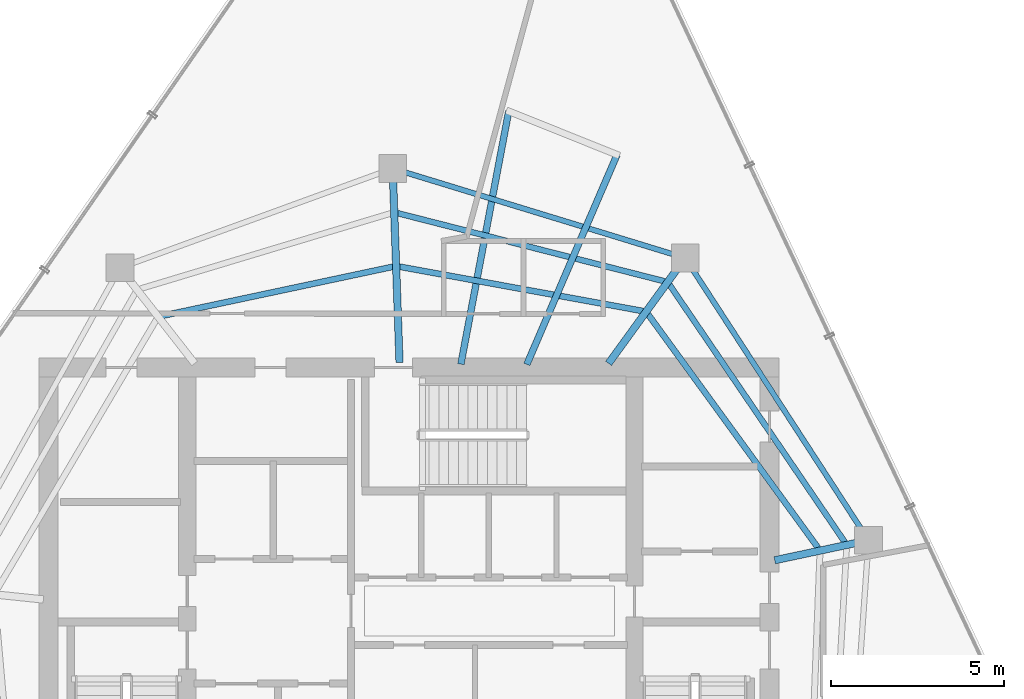
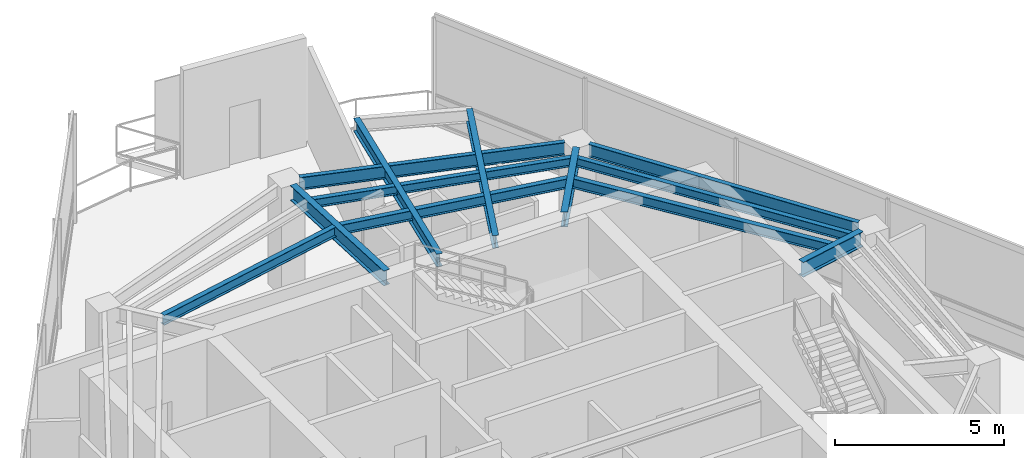
# One storey, part 9 of 19: 12 beams.
"""IFC4 building model written with IfcOpenShell, lengths in metres."""

from ifc_helpers import new_model, si_unit, direction, frame, origin, origin_2d, place, context, subcontext, project, spatial, i_section, extrude, material, material_profile, profile_set, type_object, element, save


model = new_model("IFC4")

# Units and contexts
model_context = context("Model", 3, precision=1e-05, world=origin(), true_north=direction((0.0, 1.0)))
body_context = subcontext(model_context, "Body", "Model", "MODEL_VIEW")
ifc_project = project(units=[si_unit("LENGTHUNIT", "METRE"), si_unit("AREAUNIT", "SQUARE_METRE"), si_unit("VOLUMEUNIT", "CUBIC_METRE"), si_unit("PLANEANGLEUNIT", "RADIAN"), si_unit("MASSUNIT", "GRAM", prefix="KILO")], contexts=[model_context])

# Site, building, storey
site_placement = place(None, origin())
site = spatial("IfcSite", under=ifc_project, at=site_placement, CompositionType="ELEMENT")
building_placement = place(site_placement, origin())
building = spatial("IfcBuilding", under=site, at=building_placement, Name="Qarnah Convention Tower", CompositionType="ELEMENT")
storey_placement = place(building_placement, frame((0.0, 0.0, 275.10009765625)))
storey = spatial("IfcBuildingStorey", under=building, at=storey_placement, Name="L74", CompositionType="ELEMENT", Elevation=275.10009765625)

# Beams
ifc_material = material(Name="Structural steel S355JR", Category="steel")
ifc_material_profile_1 = material_profile(ifc_material, i_section(OverallWidth=0.19189453125, OverallDepth=0.464111328125, WebThickness=0.010986328125, FlangeThickness=0.01806640625, at=origin_2d()), Name="W460X89")
ifc_profile_set_1 = profile_set([ifc_material_profile_1], Name="Structural steel S355JR")
beam_type_1 = type_object("IfcBeamType", Name="BM-CANT-W460A", PredefinedType="BEAM", material=ifc_profile_set_1)
beam_1_placement = place(storey_placement, frame((38.694091796875, 34.298095703125, 3.68798828125), z_axis=(0.185836759901, 0.982580632146, 0.0), x_axis=(-0.982580632146, 0.185836759901, 0.0)))
element("IfcBeam", 1, at=beam_1_placement, inside=storey, type_object=beam_type_1, Name="L74 beam BM-L74-CNT-01-1", PredefinedType="BEAM", context=body_context, shape_type="SweptSolid", body=[
    extrude(i_section(OverallWidth=0.19189453125, OverallDepth=0.464111328125, WebThickness=0.010986328125, FlangeThickness=0.01806640625, at=origin_2d()), origin(), (0.0, 0.0, 1.0), 7.42529296875),
])
beam_2_placement = place(storey_placement, frame((40.596923828125, 34.2919921875, 3.68798828125), z_axis=(0.395203303624, 0.918593679929, 0.0), x_axis=(-0.918593679929, 0.395203303624, 0.0)))
element("IfcBeam", 2, at=beam_2_placement, inside=storey, type_object=beam_type_1, Name="L74 beam BM-L74-CNT-01-2", PredefinedType="BEAM", context=body_context, shape_type="SweptSolid", body=[
    extrude(i_section(OverallWidth=0.19189453125, OverallDepth=0.464111328125, WebThickness=0.010986328125, FlangeThickness=0.01806640625, at=origin_2d()), origin(), (0.0, 0.0, 1.0), 6.583984375),
])
ifc_material_profile_2 = material_profile(ifc_material, i_section(OverallWidth=0.166015625, OverallDepth=0.31201171875, WebThickness=0.007080078125, FlangeThickness=0.010986328125, at=origin_2d()), Name="W310X45")
ifc_profile_set_2 = profile_set([ifc_material_profile_2], Name="Structural steel S355JR")
beam_type_2 = type_object("IfcBeamType", Name="BM-JST-W310", PredefinedType="JOIST", material=ifc_profile_set_2)
beam_3_placement = place(storey_placement, frame((49.77490234375, 29.156982421875, 3.763916015625), z_axis=(-0.563001631712, 0.826455783869, 0.0), x_axis=(-0.826455783869, -0.563001631712, 0.0)))
element("IfcBeam", 3, at=beam_3_placement, inside=storey, type_object=beam_type_2, Name="L74 joist BM-L74-SJST-01", PredefinedType="JOIST", context=body_context, shape_type="SweptSolid", body=[
    extrude(i_section(OverallWidth=0.166015625, OverallDepth=0.31201171875, WebThickness=0.007080078125, FlangeThickness=0.010986328125, at=origin_2d()), origin(), (0.0, 0.0, 1.0), 8.996337890625),
])
beam_4_placement = place(storey_placement, frame((44.572021484375, 36.68798828125, 3.763916015625), z_axis=(-0.968934754796, 0.247316479331, 0.0), x_axis=(-0.247316479331, -0.968934754796, 0.0)))
element("IfcBeam", 4, at=beam_4_placement, inside=storey, type_object=beam_type_2, Name="L74 joist BM-L74-SJST-02", PredefinedType="JOIST", context=body_context, shape_type="SweptSolid", body=[
    extrude(i_section(OverallWidth=0.166015625, OverallDepth=0.31201171875, WebThickness=0.007080078125, FlangeThickness=0.010986328125, at=origin_2d()), origin(), (0.0, 0.0, 1.0), 7.96142578125),
])
ifc_material_profile_3 = material_profile(ifc_material, i_section(OverallWidth=0.172119140625, OverallDepth=0.35595703125, WebThickness=0.007080078125, FlangeThickness=0.011962890625, at=origin_2d()), Name="W360X51")
ifc_profile_set_3 = profile_set([ifc_material_profile_3], Name="Structural steel S355JR")
beam_type_3 = type_object("IfcBeamType", Name="BM-JST-W360", PredefinedType="JOIST", material=ifc_profile_set_3)
beam_5_placement = place(storey_placement, frame((49.0029296875, 28.992919921875, 3.741943359375), z_axis=(-0.588556041219, 0.808456422045, 0.0), x_axis=(-0.808456422045, -0.588556041219, 0.0)))
element("IfcBeam", 5, at=beam_5_placement, inside=storey, type_object=beam_type_3, Name="L74 joist BM-L74-IJST-01", PredefinedType="JOIST", context=body_context, shape_type="SweptSolid", body=[
    extrude(i_section(OverallWidth=0.172119140625, OverallDepth=0.35595703125, WebThickness=0.007080078125, FlangeThickness=0.011962890625, at=origin_2d()), origin(), (0.0, 0.0, 1.0), 8.345703125),
])
beam_6_placement = place(storey_placement, frame((43.948974609375, 35.8291015625, 3.741943359375), z_axis=(-0.983774174693, 0.179411184731, 0.0), x_axis=(-0.179411184731, -0.983774174693, 0.0)))
element("IfcBeam", 6, at=beam_6_placement, inside=storey, type_object=beam_type_3, Name="L74 joist BM-L74-IJST-02", PredefinedType="JOIST", context=body_context, shape_type="SweptSolid", body=[
    extrude(i_section(OverallWidth=0.172119140625, OverallDepth=0.35595703125, WebThickness=0.007080078125, FlangeThickness=0.011962890625, at=origin_2d()), origin(), (0.0, 0.0, 1.0), 7.15087890625),
])
beam_7_placement = place(storey_placement, frame((36.737060546875, 37.10888671875, 3.741943359375), z_axis=(-0.978144875608, -0.207924511115, 0.0), x_axis=(0.207924511115, -0.978144875608, 0.0)))
element("IfcBeam", 7, at=beam_7_placement, inside=storey, type_object=beam_type_3, Name="L74 joist BM-L74-IJST-03", PredefinedType="JOIST", context=body_context, shape_type="SweptSolid", body=[
    extrude(i_section(OverallWidth=0.172119140625, OverallDepth=0.35595703125, WebThickness=0.007080078125, FlangeThickness=0.011962890625, at=origin_2d()), origin(), (0.0, 0.0, 1.0), 6.83837890625),
])
ifc_material_profile_4 = material_profile(ifc_material, i_section(OverallWidth=0.2119140625, OverallDepth=0.5400390625, WebThickness=0.011962890625, FlangeThickness=0.01904296875, at=origin_2d()), Name="W530X109")
ifc_profile_set_4 = profile_set([ifc_material_profile_4], Name="Structural steel S355JR")
beam_type_4 = type_object("IfcBeamType", Name="BM-RAD-W530A", PredefinedType="BEAM", material=ifc_profile_set_4)
beam_8_placement = place(storey_placement, frame((47.7470703125, 28.64111328125, 3.64990234375), z_axis=(0.978103714349, 0.20811805298, 0.0), x_axis=(-0.20811805298, 0.978103714349, 0.0)))
element("IfcBeam", 8, at=beam_8_placement, inside=storey, type_object=beam_type_4, Name="L74 beam BM-L74-RAD-01", PredefinedType="BEAM", context=body_context, shape_type="SweptSolid", body=[
    extrude(i_section(OverallWidth=0.2119140625, OverallDepth=0.5400390625, WebThickness=0.011962890625, FlangeThickness=0.01904296875, at=origin_2d()), origin(), (0.0, 0.0, 1.0), 2.38720703125),
])
beam_9_placement = place(storey_placement, frame((42.955078125, 34.321044921875, 3.64990234375), z_axis=(0.587699029113, 0.809079632162, 0.0), x_axis=(-0.809079632162, 0.587699029113, 0.0)))
element("IfcBeam", 9, at=beam_9_placement, inside=storey, type_object=beam_type_4, Name="L74 beam BM-L74-RAD-02", PredefinedType="BEAM", context=body_context, shape_type="SweptSolid", body=[
    extrude(i_section(OverallWidth=0.2119140625, OverallDepth=0.5400390625, WebThickness=0.011962890625, FlangeThickness=0.01904296875, at=origin_2d()), origin(), (0.0, 0.0, 1.0), 3.37890625),
])
beam_10_placement = place(storey_placement, frame((36.923095703125, 34.35009765625, 3.64990234375), z_axis=(-0.035110435588, 0.999383438582, 0.0), x_axis=(-0.999383438582, -0.035110435588, 0.0)))
element("IfcBeam", 10, at=beam_10_placement, inside=storey, type_object=beam_type_4, Name="L74 beam BM-L74-RAD-03", PredefinedType="BEAM", context=body_context, shape_type="SweptSolid", body=[
    extrude(i_section(OverallWidth=0.2119140625, OverallDepth=0.5400390625, WebThickness=0.011962890625, FlangeThickness=0.01904296875, at=origin_2d()), origin(), (0.0, 0.0, 1.0), 5.215087890625),
])
ifc_material_profile_5 = material_profile(ifc_material, i_section(OverallWidth=0.154052734375, OverallDepth=0.4599609375, WebThickness=0.009033203125, FlangeThickness=0.014892578125, at=origin_2d()), Name="W460X68")
ifc_profile_set_5 = profile_set([ifc_material_profile_5], Name="Structural steel S355JR")
beam_type_5 = type_object("IfcBeamType", Name="BM-SPN-W460B", PredefinedType="SPANDREL", material=ifc_profile_set_5)
beam_11_placement = place(storey_placement, frame((50.241943359375, 29.5439453125, 3.68994140625), z_axis=(-0.544739511184, 0.838605309401, 0.0), x_axis=(-0.838605309401, -0.544739511184, 0.0)))
element("IfcBeam", 11, at=beam_11_placement, inside=storey, type_object=beam_type_5, Name="L74 spandrel BM-L74-SPN-01", PredefinedType="SPANDREL", context=body_context, shape_type="SweptSolid", body=[
    extrude(i_section(OverallWidth=0.154052734375, OverallDepth=0.4599609375, WebThickness=0.009033203125, FlangeThickness=0.014892578125, at=origin_2d()), origin(), (0.0, 0.0, 1.0), 8.9326171875),
])
beam_12_placement = place(storey_placement, frame((44.791015625, 37.47607421875, 3.68994140625), z_axis=(-0.95628886523, 0.292423675918, 0.0), x_axis=(-0.292423675918, -0.95628886523, 0.0)))
element("IfcBeam", 12, at=beam_12_placement, inside=storey, type_object=beam_type_5, Name="L74 spandrel BM-L74-SPN-02", PredefinedType="SPANDREL", context=body_context, shape_type="SweptSolid", body=[
    extrude(i_section(OverallWidth=0.154052734375, OverallDepth=0.4599609375, WebThickness=0.009033203125, FlangeThickness=0.014892578125, at=origin_2d()), origin(), (0.0, 0.0, 1.0), 8.04248046875),
])

save(model, "model.ifc")
